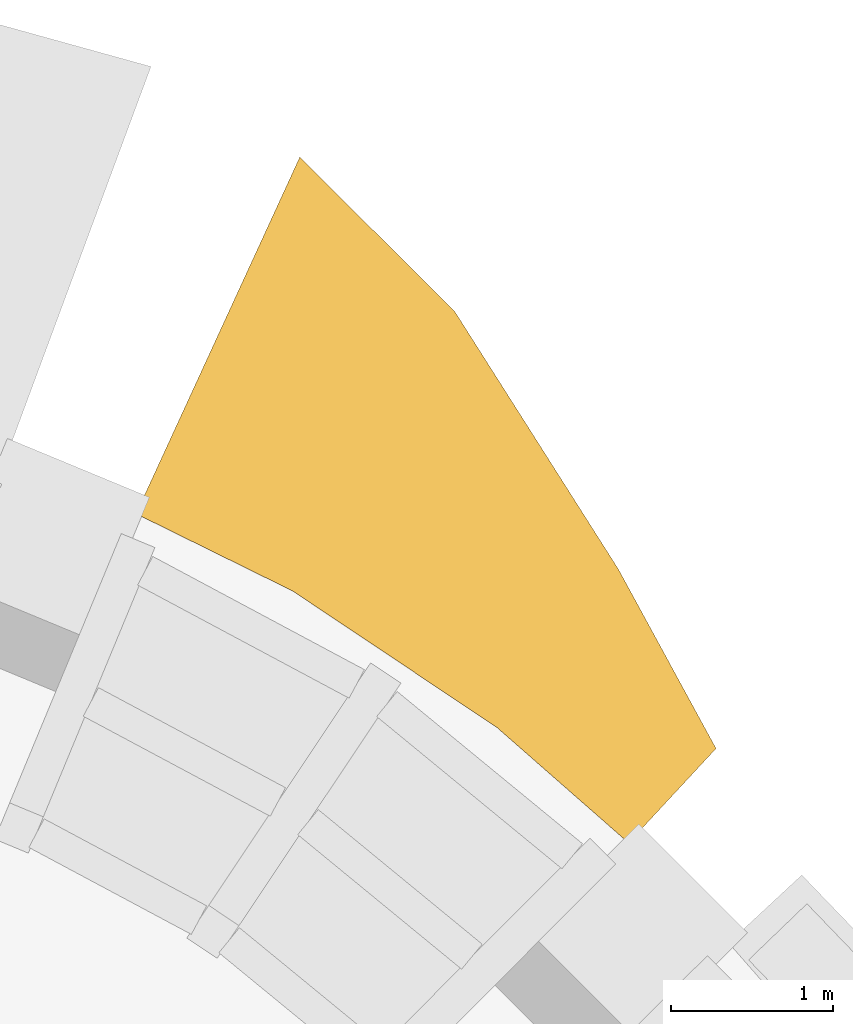
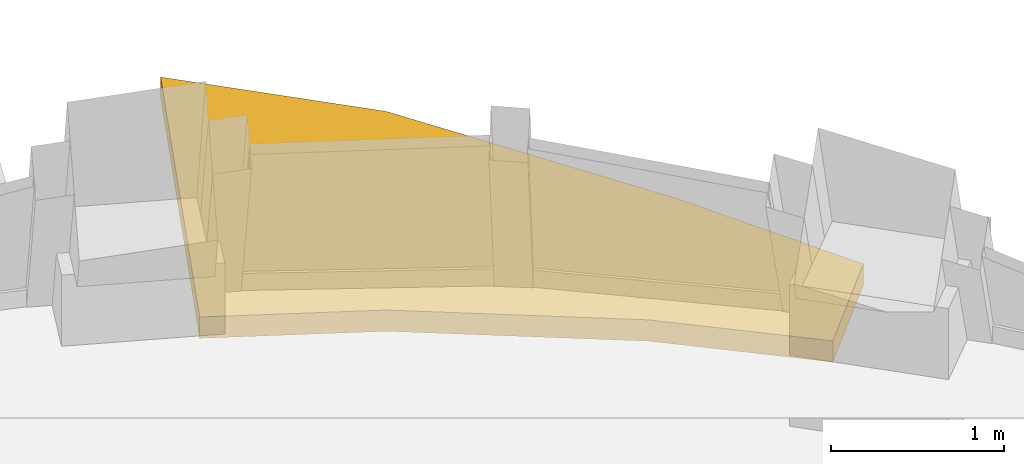
# One storey, part 8 of 9: 1 shading device.
"""IFC4 building model written with IfcOpenShell, lengths in metres."""

import ifcopenshell
import ifcopenshell.guid

model = None  # the IFC model being written
_history = None  # IfcOwnerHistory: only IFC2X3 demands one
_inside = {}  # id of a spatial element -> (the spatial element, [elements in it])
_under = {}  # id of a project, library or spatial element -> (it, [spatial elements below it])
_declared = {}  # id of a project -> (the project, [libraries it declares])
_typed = {}  # id of a type object -> (the type object, [elements of that type])
_made_of = {}  # id of a material, layer set ... -> (it, [elements and type objects made of it])


def new_model(schema):
    """Start an empty IFC model of exactly this schema.

    Asked for "IFC4X3", IfcOpenShell would pick the latest addendum, in which some entities
    have other attributes; the version numbers below select the first issue.
    IFC2X3 requires an IfcOwnerHistory on every rooted entity: one is made here for all.
    """
    global model, _history
    if schema == "IFC4X3":
        model = ifcopenshell.file(schema_version=(4, 3, 0, 0))
    else:
        model = ifcopenshell.file(schema=schema)
    _inside.clear()
    _under.clear()
    _declared.clear()
    _typed.clear()
    _made_of.clear()
    _history = None
    if model.schema == "IFC2X3":
        org = make("IfcOrganization", Name="unknown")
        user = make(
            "IfcPersonAndOrganization",
            ThePerson=make("IfcPerson", FamilyName="unknown"),
            TheOrganization=org,
        )
        app = make(
            "IfcApplication",
            ApplicationDeveloper=org,
            Version="unknown",
            ApplicationFullName="unknown",
            ApplicationIdentifier="unknown",
        )
        _history = make(
            "IfcOwnerHistory",
            OwningUser=user,
            OwningApplication=app,
            ChangeAction="ADDED",
            CreationDate=0,
        )
    return model


def make(cls, **values):
    """One entity of the class cls with the attributes given. An attribute that is None is left unset."""
    return model.create_entity(
        cls, **{name: value for name, value in values.items() if value is not None}
    )


def rooted(cls, **values):
    """An entity with a GlobalId (a new one), such as an element, a storey or a relation."""
    return make(cls, GlobalId=ifcopenshell.guid.new(), OwnerHistory=_history, **values)


def si_unit(unit_type, name, prefix=None):
    """IfcSIUnit, for example si_unit("LENGTHUNIT", "METRE", prefix="MILLI")."""
    return make("IfcSIUnit", UnitType=unit_type, Prefix=prefix, Name=name)


def assignment(units):
    """IfcUnitAssignment: the units of a project."""
    return None if units is None else make("IfcUnitAssignment", Units=units)


def point(xyz):
    """IfcCartesianPoint."""
    return None if xyz is None else make("IfcCartesianPoint", Coordinates=xyz)


def direction(xyz):
    """IfcDirection."""
    return None if xyz is None else make("IfcDirection", DirectionRatios=xyz)


def frame(location, z_axis=None, x_axis=None):
    """IfcAxis2Placement3D, a coordinate frame: its origin and axes. An axis left out is left unset."""
    return make(
        "IfcAxis2Placement3D",
        Location=point(location),
        Axis=direction(z_axis),
        RefDirection=direction(x_axis),
    )


def origin():
    """The frame at (0, 0, 0) with its axes left unset."""
    return frame((0.0, 0.0, 0.0))


def place(relative_to, where):
    """IfcLocalPlacement: puts the frame where relative to a parent placement (None: the world)."""
    return make(
        "IfcLocalPlacement", PlacementRelTo=relative_to, RelativePlacement=where
    )


def context(
    kind, dimensions, precision=None, world=None, true_north=None, identifier=None
):
    """IfcGeometricRepresentationContext, for example the 3D "Model" context."""
    return make(
        "IfcGeometricRepresentationContext",
        ContextIdentifier=identifier,
        ContextType=kind,
        CoordinateSpaceDimension=dimensions,
        Precision=precision,
        WorldCoordinateSystem=world,
        TrueNorth=true_north,
    )


def subcontext(parent, identifier, kind, view, scale=None):
    """IfcGeometricRepresentationSubContext, for example "Body" below "Model"."""
    return make(
        "IfcGeometricRepresentationSubContext",
        ContextIdentifier=identifier,
        ContextType=kind,
        ParentContext=parent,
        TargetScale=scale,
        TargetView=view,
    )


def project(units=None, contexts=None):
    """IfcProject with its units and contexts."""
    return rooted(
        "IfcProject",
        Name="project",
        RepresentationContexts=contexts,
        UnitsInContext=assignment(units),
    )


def spatial(cls, under=None, at=None, **own):
    """A site, building, storey or space (cls), placed at a placement, below another one or the project."""
    s = rooted(cls, ObjectPlacement=at, **own)
    if under is not None:
        _under.setdefault(under.id(), (under, []))[1].append(s)
    return s


def polyline(points):
    """IfcPolyline through the points."""
    return make("IfcPolyline", Points=[point(p) for p in points])


def outline(outer, holes=None, kind="AREA"):
    """IfcArbitraryClosedProfileDef: a profile drawn as a closed curve; with holes, ...WithVoids."""
    if holes is None:
        return make("IfcArbitraryClosedProfileDef", ProfileType=kind, OuterCurve=outer)
    return make(
        "IfcArbitraryProfileDefWithVoids",
        ProfileType=kind,
        OuterCurve=outer,
        InnerCurves=holes,
    )


def extrude(swept, where, along, depth):
    """IfcExtrudedAreaSolid: the profile swept, set in the frame where, extruded along a direction by depth."""
    return make(
        "IfcExtrudedAreaSolid",
        SweptArea=swept,
        Position=where,
        ExtrudedDirection=direction(along),
        Depth=depth,
    )


def shape(context_of_items, identifier, shape_type, items):
    """IfcShapeRepresentation: the items that make up one representation, for example the "Body"."""
    return make(
        "IfcShapeRepresentation",
        ContextOfItems=context_of_items,
        RepresentationIdentifier=identifier,
        RepresentationType=shape_type,
        Items=items,
    )


def material(Name=None, Category=None):
    """IfcMaterial."""
    return make("IfcMaterial", Name=Name, Category=Category)


def made_of(thing, what):
    """Note that an element or type object is made of a material, layer set ...; save() writes the relation."""
    if what is not None:
        _made_of.setdefault(what.id(), (what, []))[1].append(thing)
    return thing


def type_object(cls, material=None, **own):
    """A type object (cls), such as IfcWallType, which elements share."""
    return made_of(rooted(cls, **own), material)


def element(
    cls,
    number,
    at=None,
    inside=None,
    cuts=None,
    type_object=None,
    material=None,
    context=None,
    identifier="Body",
    shape_type=None,
    held_by="IfcProductDefinitionShape",
    body=None,
    shapes=None,
    **own,
):
    """One element of the class cls, such as IfcWall. Its Tag is "e" and its number.

    at: its placement. inside: the storey or other place that contains it. cuts: it is an
    opening in that element (IfcRelVoidsElement). A single representation is given by context,
    identifier, shape_type and body (its items); several are given by shapes. held_by: the class
    of the entity that holds the representations. save() writes the other relations.
    """
    e = rooted(cls, Tag="e%d" % number, ObjectPlacement=at, **own)
    if body is not None:
        shapes = [shape(context, identifier, shape_type, body)]
    if shapes is not None:
        e.Representation = make(held_by, Representations=shapes)
    if inside is not None:
        _inside.setdefault(inside.id(), (inside, []))[1].append(e)
    if cuts is not None:
        rooted(
            "IfcRelVoidsElement", RelatingBuildingElement=cuts, RelatedOpeningElement=e
        )
    if type_object is not None:
        _typed.setdefault(type_object.id(), (type_object, []))[1].append(e)
    return made_of(e, material)


def aggregate(whole, parts):
    """IfcRelAggregates: a whole, such as a stair, and the parts it consists of."""
    return rooted("IfcRelAggregates", RelatingObject=whole, RelatedObjects=parts)


def save(model, path):
    """Write the relations noted so far, then the file.

    IfcRelAggregates (storeys below a building ...), IfcRelContainedInSpatialStructure (elements
    in a storey), IfcRelDefinesByType, IfcRelAssociatesMaterial and IfcRelDeclares: one each for
    every whole, place, type object, material and project.
    """
    for whole, parts in _under.values():
        aggregate(whole, parts)
    for where, things in _inside.values():
        rooted(
            "IfcRelContainedInSpatialStructure",
            RelatedElements=things,
            RelatingStructure=where,
        )
    for kind, things in _typed.values():
        rooted("IfcRelDefinesByType", RelatedObjects=things, RelatingType=kind)
    for what, things in _made_of.values():
        rooted("IfcRelAssociatesMaterial", RelatedObjects=things, RelatingMaterial=what)
    for by, libraries in _declared.values():
        rooted("IfcRelDeclares", RelatingContext=by, RelatedDefinitions=libraries)
    model.write(path)


model = new_model("IFC4")

# Units and contexts
model_context = context("Model", 3, precision=1e-05, world=origin(), true_north=direction((0.0, 1.0)))
body_context = subcontext(model_context, "Body", "Model", "MODEL_VIEW")
ifc_project = project(units=[si_unit("LENGTHUNIT", "METRE"), si_unit("AREAUNIT", "SQUARE_METRE"), si_unit("VOLUMEUNIT", "CUBIC_METRE"), si_unit("PLANEANGLEUNIT", "RADIAN"), si_unit("MASSUNIT", "GRAM", prefix="KILO")], contexts=[model_context])

# Site, building, storey
site_placement = place(None, origin())
site = spatial("IfcSite", under=ifc_project, at=site_placement, CompositionType="ELEMENT")
building_placement = place(site_placement, origin())
building = spatial("IfcBuilding", under=site, at=building_placement, Name="Polderwave Tower", CompositionType="ELEMENT")
storey_placement = place(building_placement, frame((0.0, 0.0, 239.39990234375)))
storey = spatial("IfcBuildingStorey", under=building, at=storey_placement, Name="L65", CompositionType="ELEMENT", Elevation=239.39990234375)

# Shading device
ifc_material = material(Name="Terracotta", Category="masonry")
shading_device_type = type_object("IfcShadingDeviceType", Name="Terracotta sunshade band", PredefinedType="USERDEFINED", material=ifc_material)
shading_device_placement = place(storey_placement, frame((0.0, 0.0, -0.599853515625)))
element("IfcShadingDevice", 1, at=shading_device_placement, inside=storey, type_object=shading_device_type, Name="Sunshade band L65 3", ObjectType="SUNSHADE", PredefinedType="USERDEFINED", context=body_context, shape_type="SweptSolid", body=[
    extrude(outline(polyline([(7.873291015625, 8.4912109375), (7.0615234375, 9.202880859375), (5.800048828125, 10.0458984375), (4.831787109375, 10.5234375), (5.843017578125, 12.7255859375), (6.79833984375, 11.775146484375), (7.811279296875, 10.179931640625), (8.41357421875, 9.07373046875), (7.873291015625, 8.4912109375)])), origin(), (0.0, 0.0, 1.0), 0.14990234375),
])

save(model, "model.ifc")
